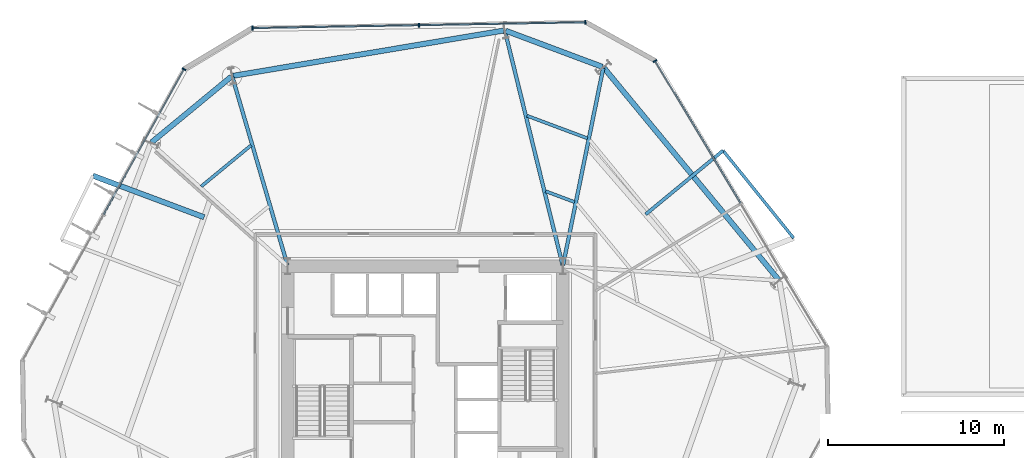
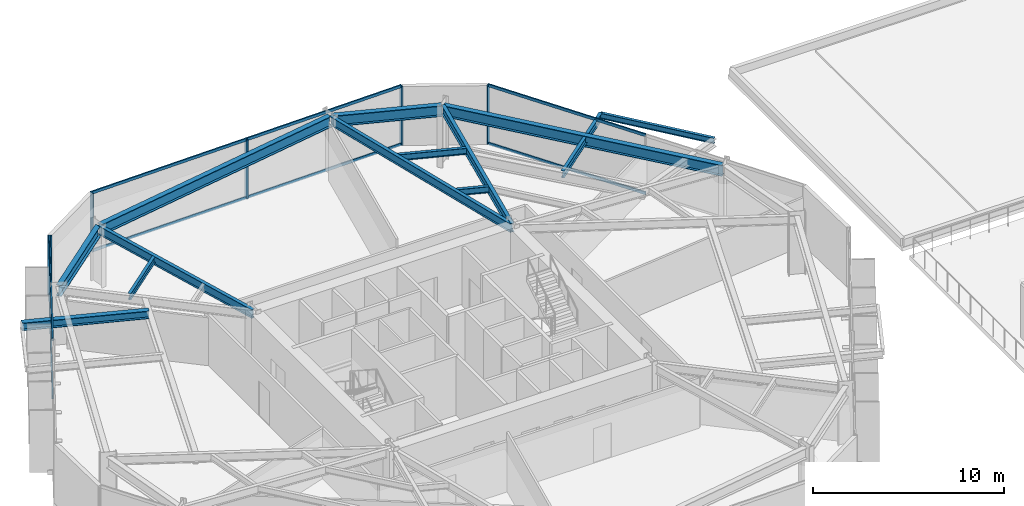
# One storey, part 4 of 11: 13 beams, 13 members, 3 elements without a shape of their own.
"""IFC4 building model written with IfcOpenShell, lengths in metres."""

from ifc_helpers import new_model, si_unit, direction, frame, origin, origin_2d, place, context, subcontext, project, spatial, rectangle, i_section, extrude, material, layer, layer_set, material_profile, profile_set, type_object, element, aggregate, save


model = new_model("IFC4")

# Units and contexts
model_context = context("Model", 3, precision=1e-05, world=origin(), true_north=direction((0.0, 1.0)))
body_context = subcontext(model_context, "Body", "Model", "MODEL_VIEW")
ifc_project = project(units=[si_unit("LENGTHUNIT", "METRE"), si_unit("AREAUNIT", "SQUARE_METRE"), si_unit("VOLUMEUNIT", "CUBIC_METRE"), si_unit("PLANEANGLEUNIT", "RADIAN"), si_unit("MASSUNIT", "GRAM", prefix="KILO")], contexts=[model_context])

# Site, building, storey
site_placement = place(None, origin())
site = spatial("IfcSite", under=ifc_project, at=site_placement, CompositionType="ELEMENT")
building_placement = place(site_placement, origin())
building = spatial("IfcBuilding", under=site, at=building_placement, Name="Kranzbogen Civic Tower", CompositionType="ELEMENT")
storey_placement = place(building_placement, frame((0.0, 0.0, 24.0)))
storey = spatial("IfcBuildingStorey", under=building, at=storey_placement, Name="L05", CompositionType="ELEMENT", Elevation=24.0)

# Beam
ifc_material_1 = material(Name="Steel S355", Category="steel")
ifc_material_profile_1 = material_profile(ifc_material_1, i_section(OverallWidth=0.18994140625, OverallDepth=0.449951171875, WebThickness=0.009521484375, FlangeThickness=0.0146484375, at=origin_2d()), Name="IPE 450")
ifc_profile_set_1 = profile_set([ifc_material_profile_1], Name="Steel S355")
beam_type_1 = type_object("IfcBeamType", Name="Braced Terrace Edge Beam IPE 450", PredefinedType="BEAM", material=ifc_profile_set_1)
beam_1_placement = place(storey_placement, frame((37.4970703125, 35.14208984375, 3.4951171875), z_axis=(0.771656209389, 0.636039852928, 0.0), x_axis=(-0.636039852928, 0.771656209389, 0.0)))
element("IfcBeam", 1, at=beam_1_placement, inside=storey, type_object=beam_type_1, Name="L06 back-spanned terrace beam L06-ST-2", PredefinedType="BEAM", context=body_context, shape_type="SweptSolid", body=[
    extrude(i_section(OverallWidth=0.18994140625, OverallDepth=0.449951171875, WebThickness=0.009521484375, FlangeThickness=0.0146484375, at=origin_2d()), origin(), (0.0, 0.0, 1.0), 5.68505859375),
])

# Curtain wall, member
ifc_material_2 = material(Name="Pale Anodised Aluminium", Category="aluminium")
ifc_layer = layer(ifc_material_2, 0.219970703125, Name="Pale Anodised Aluminium")
ifc_layer_set = layer_set([ifc_layer], Name="Pale Anodised Aluminium")
curtain_wall_type = type_object("IfcCurtainWallType", Name="Zone 1 Stick Curtain Wall System CW-02", PredefinedType="USERDEFINED", material=ifc_layer_set)
curtain_wall_1_placement = place(storey_placement, origin())
curtain_wall_1 = element("IfcCurtainWall", 2, at=curtain_wall_1_placement, inside=storey, type_object=curtain_wall_type, Name="L05 curtain wall CW-L05-F1", ObjectType="STICK CURTAIN WALL", PredefinedType="USERDEFINED")
ifc_material_profile_2 = material_profile(ifc_material_2, rectangle(XDim=0.080078125, YDim=0.239990234375, at=origin_2d()), Name="ALU-M 80x240")
ifc_profile_set_2 = profile_set([ifc_material_profile_2], Name="Pale Anodised Aluminium")
member_type_1 = type_object("IfcMemberType", Name="Curtain Wall Mullion ALU-M 80x240", PredefinedType="MULLION", material=ifc_profile_set_2)
member_1_placement = place(storey_placement, frame((38.030517578125, 43.84033203125, 0.0), z_axis=(0.0, 0.0, 1.0), x_axis=(-0.515031495734, 0.857171253836, 0.0)))
member_1 = element("IfcMember", 3, at=member_1_placement, type_object=member_type_1, Name="CW-02 mullion 3", PredefinedType="MULLION", context=body_context, shape_type="SweptSolid", body=[
    extrude(rectangle(XDim=0.080078125, YDim=0.239990234375, at=origin_2d()), origin(), (0.0, 0.0, 1.0), 3.760009765625),
])

# Curtain wall, members
curtain_wall_2_placement = place(storey_placement, origin())
curtain_wall_2 = element("IfcCurtainWall", 4, at=curtain_wall_2_placement, inside=storey, type_object=curtain_wall_type, Name="L05 curtain wall CW-L05-F2", ObjectType="STICK CURTAIN WALL", PredefinedType="USERDEFINED")
member_2_placement = place(storey_placement, frame((34.072021484375, 46.034423828125, 0.0), z_axis=(0.0, 0.0, 1.0), x_axis=(-0.999848134168, -0.01742723733, 0.0)))
member_2 = element("IfcMember", 5, at=member_2_placement, type_object=member_type_1, Name="CW-02 mullion 1", PredefinedType="MULLION", context=body_context, shape_type="SweptSolid", body=[
    extrude(rectangle(XDim=0.080078125, YDim=0.239990234375, at=origin_2d()), origin(), (0.0, 0.0, 1.0), 3.760009765625),
])
member_3_placement = place(storey_placement, frame((24.635498046875, 45.8701171875, 0.0), z_axis=(0.0, 0.0, 1.0), x_axis=(-0.999848134168, -0.01742723733, 0.0)))
member_3 = element("IfcMember", 6, at=member_3_placement, type_object=member_type_1, Name="CW-02 mullion 2", PredefinedType="MULLION", context=body_context, shape_type="SweptSolid", body=[
    extrude(rectangle(XDim=0.080078125, YDim=0.239990234375, at=origin_2d()), origin(), (0.0, 0.0, 1.0), 3.760009765625),
])
member_4_placement = place(storey_placement, frame((15.198974609375, 45.70556640625, 0.0), z_axis=(0.0, 0.0, 1.0), x_axis=(-0.999848134168, -0.01742723733, 0.0)))
member_4 = element("IfcMember", 7, at=member_4_placement, type_object=member_type_1, Name="CW-02 mullion 3", PredefinedType="MULLION", context=body_context, shape_type="SweptSolid", body=[
    extrude(rectangle(XDim=0.080078125, YDim=0.239990234375, at=origin_2d()), origin(), (0.0, 0.0, 1.0), 3.760009765625),
])

# Curtain wall, member
curtain_wall_3_placement = place(storey_placement, origin())
curtain_wall_3 = element("IfcCurtainWall", 8, at=curtain_wall_3_placement, inside=storey, type_object=curtain_wall_type, Name="L05 curtain wall CW-L05-F3", ObjectType="STICK CURTAIN WALL", PredefinedType="USERDEFINED")
member_5_placement = place(storey_placement, frame((11.319580078125, 43.374755859375, 0.0), z_axis=(0.0, 0.0, 1.0), x_axis=(-0.484727984582, -0.874664953547, 0.0)))
member_5 = element("IfcMember", 9, at=member_5_placement, type_object=member_type_1, Name="CW-02 mullion 1", PredefinedType="MULLION", context=body_context, shape_type="SweptSolid", body=[
    extrude(rectangle(XDim=0.080078125, YDim=0.239990234375, at=origin_2d()), origin(), (0.0, 0.0, 1.0), 3.760009765625),
])

# Member
ifc_material_profile_3 = material_profile(ifc_material_2, rectangle(XDim=0.080078125, YDim=0.179931640625, at=origin_2d()), Name="ALU-T 80x180")
ifc_profile_set_3 = profile_set([ifc_material_profile_3], Name="Pale Anodised Aluminium")
member_type_2 = type_object("IfcMemberType", Name="Curtain Wall Transom ALU-T 80x180", PredefinedType="USERDEFINED", material=ifc_profile_set_3)
member_6_placement = place(storey_placement, frame((42.8759765625, 35.775634765625, 0.030029296875), z_axis=(-0.515027792125, 0.857173479139, 0.0), x_axis=(-0.857173479139, -0.515027792125, 0.0)))
member_6 = element("IfcMember", 10, at=member_6_placement, type_object=member_type_2, Name="CW-02 transom 2.1", ObjectType="TRANSOM", PredefinedType="USERDEFINED", context=body_context, shape_type="SweptSolid", body=[
    extrude(rectangle(XDim=0.080078125, YDim=0.179931640625, at=origin_2d()), origin(), (0.0, 0.0, 1.0), 9.378173828125),
])

member_7_placement = place(storey_placement, frame((42.8759765625, 35.775634765625, 3.72998046875), z_axis=(-0.515027792125, 0.857173479139, 0.0), x_axis=(-0.857173479139, -0.515027792125, 0.0)))
member_7 = element("IfcMember", 11, at=member_7_placement, type_object=member_type_2, Name="CW-02 transom 2.2", ObjectType="TRANSOM", PredefinedType="USERDEFINED", context=body_context, shape_type="SweptSolid", body=[
    extrude(rectangle(XDim=0.080078125, YDim=0.179931640625, at=origin_2d()), origin(), (0.0, 0.0, 1.0), 9.378173828125),
])

aggregate(curtain_wall_1, [member_1, member_6, member_7])

member_8_placement = place(storey_placement, frame((34.0419921875, 46.033935546875, 0.030029296875), z_axis=(-0.999848321067, -0.017416511139, 0.0), x_axis=(0.017416511139, -0.999848321067, 0.0)))
member_8 = element("IfcMember", 12, at=member_8_placement, type_object=member_type_2, Name="CW-02 transom 1.1", ObjectType="TRANSOM", PredefinedType="USERDEFINED", context=body_context, shape_type="SweptSolid", body=[
    extrude(rectangle(XDim=0.080078125, YDim=0.179931640625, at=origin_2d()), origin(), (0.0, 0.0, 1.0), 9.3779296875),
])

member_9_placement = place(storey_placement, frame((34.0419921875, 46.033935546875, 3.72998046875), z_axis=(-0.999848321067, -0.017416511139, 0.0), x_axis=(0.017416511139, -0.999848321067, 0.0)))
member_9 = element("IfcMember", 13, at=member_9_placement, type_object=member_type_2, Name="CW-02 transom 1.2", ObjectType="TRANSOM", PredefinedType="USERDEFINED", context=body_context, shape_type="SweptSolid", body=[
    extrude(rectangle(XDim=0.080078125, YDim=0.179931640625, at=origin_2d()), origin(), (0.0, 0.0, 1.0), 9.3779296875),
])

member_10_placement = place(storey_placement, frame((24.60546875, 45.869384765625, 0.030029296875), z_axis=(-0.999848321067, -0.017416511139, 0.0), x_axis=(0.017416511139, -0.999848321067, 0.0)))
member_10 = element("IfcMember", 14, at=member_10_placement, type_object=member_type_2, Name="CW-02 transom 2.1", ObjectType="TRANSOM", PredefinedType="USERDEFINED", context=body_context, shape_type="SweptSolid", body=[
    extrude(rectangle(XDim=0.080078125, YDim=0.179931640625, at=origin_2d()), origin(), (0.0, 0.0, 1.0), 9.3779296875),
])

member_11_placement = place(storey_placement, frame((24.60546875, 45.869384765625, 3.72998046875), z_axis=(-0.999848321067, -0.017416511139, 0.0), x_axis=(0.017416511139, -0.999848321067, 0.0)))
member_11 = element("IfcMember", 15, at=member_11_placement, type_object=member_type_2, Name="CW-02 transom 2.2", ObjectType="TRANSOM", PredefinedType="USERDEFINED", context=body_context, shape_type="SweptSolid", body=[
    extrude(rectangle(XDim=0.080078125, YDim=0.179931640625, at=origin_2d()), origin(), (0.0, 0.0, 1.0), 9.3779296875),
])

aggregate(curtain_wall_2, [member_2, member_3, member_4, member_8, member_9, member_10, member_11])

member_12_placement = place(storey_placement, frame((11.304931640625, 43.3486328125, 0.030029296875), z_axis=(-0.484725386123, -0.874666393574, 0.0), x_axis=(0.874666393574, -0.484725386123, 0.0)))
member_12 = element("IfcMember", 16, at=member_12_placement, type_object=member_type_2, Name="CW-02 transom 1.1", ObjectType="TRANSOM", PredefinedType="USERDEFINED", context=body_context, shape_type="SweptSolid", body=[
    extrude(rectangle(XDim=0.080078125, YDim=0.179931640625, at=origin_2d()), origin(), (0.0, 0.0, 1.0), 9.37841796875),
])

member_13_placement = place(storey_placement, frame((11.304931640625, 43.3486328125, 3.72998046875), z_axis=(-0.484725386123, -0.874666393574, 0.0), x_axis=(0.874666393574, -0.484725386123, 0.0)))
member_13 = element("IfcMember", 17, at=member_13_placement, type_object=member_type_2, Name="CW-02 transom 1.2", ObjectType="TRANSOM", PredefinedType="USERDEFINED", context=body_context, shape_type="SweptSolid", body=[
    extrude(rectangle(XDim=0.080078125, YDim=0.179931640625, at=origin_2d()), origin(), (0.0, 0.0, 1.0), 9.37841796875),
])

aggregate(curtain_wall_3, [member_5, member_12, member_13])

# Beams
ifc_material_profile_4 = material_profile(ifc_material_1, i_section(OverallWidth=0.300048828125, OverallDepth=0.5, WebThickness=0.014404296875, FlangeThickness=0.028076171875, at=origin_2d()), Name="HEB 500")
ifc_profile_set_4 = profile_set([ifc_material_profile_4], Name="Steel S355")
beam_type_2 = type_object("IfcBeamType", Name="Perimeter Tube Spandrel Beam HEB 500", PredefinedType="SPANDREL", material=ifc_profile_set_4)
beam_2_placement = place(storey_placement, frame((12.4541015625, 34.97705078125, 3.5), z_axis=(-0.936701111553, 0.350130015302, 0.0), x_axis=(-0.350130015302, -0.936701111553, 0.0)))
element("IfcBeam", 18, at=beam_2_placement, inside=storey, type_object=beam_type_2, Name="L06 back-spanned terrace beam L06-TB1-1", PredefinedType="SPANDREL", context=body_context, shape_type="SweptSolid", body=[
    extrude(i_section(OverallWidth=0.300048828125, OverallDepth=0.5, WebThickness=0.014404296875, FlangeThickness=0.028076171875, at=origin_2d()), origin(), (0.0, 0.0, 1.0), 6.734375),
])
ifc_material_profile_5 = material_profile(ifc_material_1, i_section(OverallWidth=0.300048828125, OverallDepth=0.699951171875, WebThickness=0.01708984375, FlangeThickness=0.031982421875, at=origin_2d()), Name="HEB 700")
ifc_profile_set_5 = profile_set([ifc_material_profile_5], Name="Steel S355")
beam_type_3 = type_object("IfcBeamType", Name="Perimeter Tube Spandrel Beam HEB 700", PredefinedType="SPANDREL", material=ifc_profile_set_5)
beam_3_placement = place(storey_placement, frame((45.033935546875, 31.431884765625, 3.409912109375), z_axis=(-0.636074572579, 0.771627590304, 0.0), x_axis=(-0.771627590304, -0.636074572579, 0.0)))
element("IfcBeam", 19, at=beam_3_placement, inside=storey, type_object=beam_type_3, Name="L05 perimeter spandrel beam 08", PredefinedType="SPANDREL", context=body_context, shape_type="SweptSolid", body=[
    extrude(i_section(OverallWidth=0.300048828125, OverallDepth=0.699951171875, WebThickness=0.01708984375, FlangeThickness=0.031982421875, at=origin_2d()), origin(), (0.0, 0.0, 1.0), 15.5595703125),
])
beam_4_placement = place(storey_placement, frame((35.04296875, 43.5048828125, 3.409912109375), z_axis=(-0.936647646965, 0.350273015568, 0.0), x_axis=(-0.350273015568, -0.936647646965, 0.0)))
element("IfcBeam", 20, at=beam_4_placement, inside=storey, type_object=beam_type_3, Name="L05 perimeter spandrel beam 09", PredefinedType="SPANDREL", context=body_context, shape_type="SweptSolid", body=[
    extrude(i_section(OverallWidth=0.300048828125, OverallDepth=0.699951171875, WebThickness=0.01708984375, FlangeThickness=0.031982421875, at=origin_2d()), origin(), (0.0, 0.0, 1.0), 5.852783203125),
])
beam_5_placement = place(storey_placement, frame((29.446044921875, 45.56591796875, 3.409912109375), z_axis=(-0.986285563243, -0.165047834697, 0.0), x_axis=(0.165047834697, -0.986285563243, 0.0)))
element("IfcBeam", 21, at=beam_5_placement, inside=storey, type_object=beam_type_3, Name="L05 perimeter spandrel beam 10", PredefinedType="SPANDREL", context=body_context, shape_type="SweptSolid", body=[
    extrude(i_section(OverallWidth=0.300048828125, OverallDepth=0.699951171875, WebThickness=0.01708984375, FlangeThickness=0.031982421875, at=origin_2d()), origin(), (0.0, 0.0, 1.0), 15.558349609375),
])
beam_6_placement = place(storey_placement, frame((13.99609375, 42.949951171875, 3.409912109375), z_axis=(-0.77168336865, -0.636006901337, 0.0), x_axis=(0.636006901337, -0.77168336865, 0.0)))
element("IfcBeam", 22, at=beam_6_placement, inside=storey, type_object=beam_type_3, Name="L05 perimeter spandrel beam 11", PredefinedType="SPANDREL", context=body_context, shape_type="SweptSolid", body=[
    extrude(i_section(OverallWidth=0.300048828125, OverallDepth=0.699951171875, WebThickness=0.01708984375, FlangeThickness=0.031982421875, at=origin_2d()), origin(), (0.0, 0.0, 1.0), 5.853515625),
])
ifc_material_profile_6 = material_profile(ifc_material_1, i_section(OverallWidth=0.2099609375, OverallDepth=0.550048828125, WebThickness=0.010986328125, FlangeThickness=0.01708984375, at=origin_2d()), Name="IPE 550")
ifc_profile_set_6 = profile_set([ifc_material_profile_6], Name="Steel S355")
beam_type_4 = type_object("IfcBeamType", Name="Radial Tower Floor Girder IPE 550", PredefinedType="BEAM", material=ifc_profile_set_6)
beam_7_placement = place(storey_placement, frame((35.0869140625, 43.425048828125, 3.485107421875), z_axis=(-0.199633433694, -0.979870650725, 0.0), x_axis=(0.979870650725, -0.199633433694, 0.0)))
element("IfcBeam", 23, at=beam_7_placement, inside=storey, type_object=beam_type_4, Name="L05 radial floor girder 09", PredefinedType="BEAM", context=body_context, shape_type="SweptSolid", body=[
    extrude(i_section(OverallWidth=0.2099609375, OverallDepth=0.550048828125, WebThickness=0.010986328125, FlangeThickness=0.01708984375, at=origin_2d()), origin(), (0.0, 0.0, 1.0), 11.3955078125),
])
beam_8_placement = place(storey_placement, frame((29.51904296875, 45.51806640625, 3.485107421875), z_axis=(0.239215348776, -0.970966537482, 0.0), x_axis=(0.970966537482, 0.239215348776, 0.0)))
element("IfcBeam", 24, at=beam_8_placement, inside=storey, type_object=beam_type_4, Name="L05 radial floor girder 10", PredefinedType="BEAM", context=body_context, shape_type="SweptSolid", body=[
    extrude(i_section(OverallWidth=0.2099609375, OverallDepth=0.550048828125, WebThickness=0.010986328125, FlangeThickness=0.01708984375, at=origin_2d()), origin(), (0.0, 0.0, 1.0), 13.656494140625),
])
beam_9_placement = place(storey_placement, frame((14.05908203125, 42.929931640625, 3.485107421875), z_axis=(0.280944131918, -0.959724124288, 0.0), x_axis=(0.959724124288, 0.280944131918, 0.0)))
element("IfcBeam", 25, at=beam_9_placement, inside=storey, type_object=beam_type_4, Name="L05 radial floor girder 11", PredefinedType="BEAM", context=body_context, shape_type="SweptSolid", body=[
    extrude(i_section(OverallWidth=0.2099609375, OverallDepth=0.550048828125, WebThickness=0.010986328125, FlangeThickness=0.01708984375, at=origin_2d()), origin(), (0.0, 0.0, 1.0), 11.11962890625),
])
ifc_material_profile_7 = material_profile(ifc_material_1, i_section(OverallWidth=0.169921875, OverallDepth=0.360107421875, WebThickness=0.008056640625, FlangeThickness=0.0126953125, at=origin_2d()), Name="IPE 360")
ifc_profile_set_7 = profile_set([ifc_material_profile_7], Name="Steel S355")
beam_type_5 = type_object("IfcBeamType", Name="Secondary Composite Floor Joist IPE 360", PredefinedType="JOIST", material=ifc_profile_set_7)
beam_10_placement = place(storey_placement, frame((45.885009765625, 33.7958984375, 3.5400390625), z_axis=(-0.627679830762, 0.778471598746, 0.0), x_axis=(-0.778471598746, -0.627679830762, 0.0)))
element("IfcBeam", 26, at=beam_10_placement, inside=storey, type_object=beam_type_5, Name="L06 terrace outer edge trimmer L06-ST", PredefinedType="JOIST", context=body_context, shape_type="SweptSolid", body=[
    extrude(i_section(OverallWidth=0.169921875, OverallDepth=0.360107421875, WebThickness=0.008056640625, FlangeThickness=0.0126953125, at=origin_2d()), origin(), (0.0, 0.0, 1.0), 6.374267578125),
])
ifc_material_profile_8 = material_profile(ifc_material_1, i_section(OverallWidth=0.179931640625, OverallDepth=0.39990234375, WebThickness=0.008544921875, FlangeThickness=0.013427734375, at=origin_2d()), Name="IPE 400")
ifc_profile_set_8 = profile_set([ifc_material_profile_8], Name="Steel S355")
beam_type_6 = type_object("IfcBeamType", Name="Secondary Composite Floor Joist IPE 400", PredefinedType="JOIST", material=ifc_profile_set_8)
beam_11_placement = place(storey_placement, frame((34.196044921875, 39.449951171875, 3.56005859375), z_axis=(-0.936622008794, 0.350341565678, 0.0), x_axis=(-0.350341565678, -0.936622008794, 0.0)))
element("IfcBeam", 27, at=beam_11_placement, inside=storey, type_object=beam_type_6, Name="L05 secondary floor joist 1.09", PredefinedType="JOIST", context=body_context, shape_type="SweptSolid", body=[
    extrude(i_section(OverallWidth=0.179931640625, OverallDepth=0.39990234375, WebThickness=0.008544921875, FlangeThickness=0.013427734375, at=origin_2d()), origin(), (0.0, 0.0, 1.0), 3.662109375),
])
beam_12_placement = place(storey_placement, frame((33.4609375, 35.839111328125, 3.56005859375), z_axis=(-0.936735458815, 0.350038112495, 0.0), x_axis=(-0.350038112495, -0.936735458815, 0.0)))
element("IfcBeam", 28, at=beam_12_placement, inside=storey, type_object=beam_type_6, Name="L05 secondary floor joist 2.09", PredefinedType="JOIST", context=body_context, shape_type="SweptSolid", body=[
    extrude(i_section(OverallWidth=0.179931640625, OverallDepth=0.39990234375, WebThickness=0.008544921875, FlangeThickness=0.013427734375, at=origin_2d()), origin(), (0.0, 0.0, 1.0), 1.750732421875),
])
beam_13_placement = place(storey_placement, frame((15.116943359375, 39.052978515625, 3.56005859375), z_axis=(-0.771712720426, -0.635971286406, 0.0), x_axis=(0.635971286406, -0.771712720426, 0.0)))
element("IfcBeam", 29, at=beam_13_placement, inside=storey, type_object=beam_type_6, Name="L05 secondary floor joist 1.11", PredefinedType="JOIST", context=body_context, shape_type="SweptSolid", body=[
    extrude(i_section(OverallWidth=0.179931640625, OverallDepth=0.39990234375, WebThickness=0.008544921875, FlangeThickness=0.013427734375, at=origin_2d()), origin(), (0.0, 0.0, 1.0), 3.661865234375),
])

save(model, "model.ifc")
